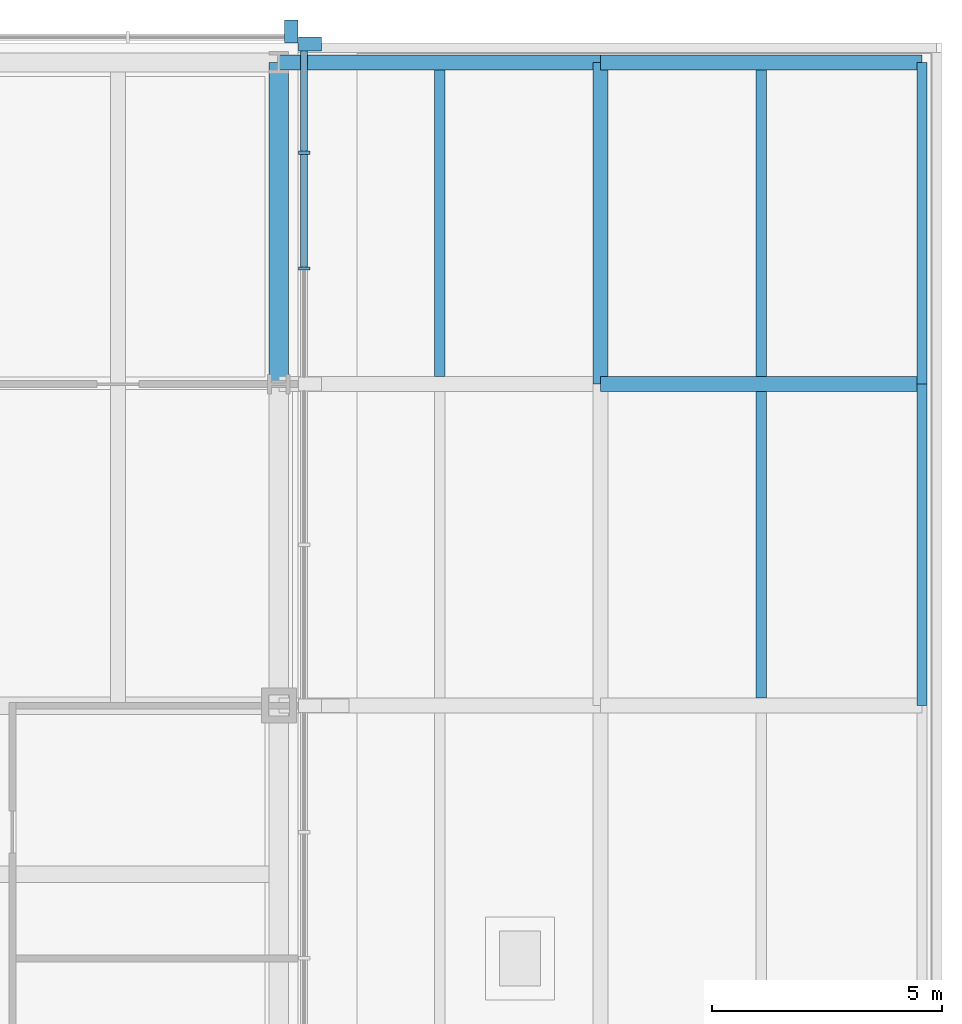
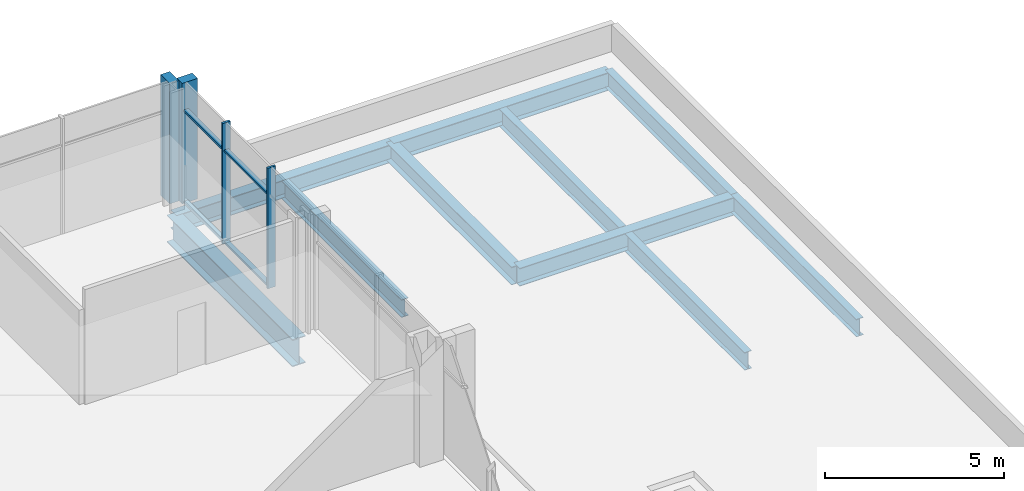
# One storey, part 8 of 15: 10 beams, 8 members, 2 elements without a shape of their own.
"""IFC4 building model written with IfcOpenShell, lengths in metres."""

from ifc_helpers import new_model, si_unit, direction, frame, origin, origin_2d, place, context, subcontext, project, spatial, rectangle, i_section, extrude, material, material_profile, profile_set, type_object, element, aggregate, save


model = new_model("IFC4")

# Units and contexts
model_context = context("Model", 3, precision=1e-05, world=origin(), true_north=direction((0.0, 1.0)))
body_context = subcontext(model_context, "Body", "Model", "MODEL_VIEW")
ifc_project = project(units=[si_unit("LENGTHUNIT", "METRE"), si_unit("AREAUNIT", "SQUARE_METRE"), si_unit("VOLUMEUNIT", "CUBIC_METRE"), si_unit("PLANEANGLEUNIT", "RADIAN"), si_unit("MASSUNIT", "GRAM", prefix="KILO")], contexts=[model_context])

# Site, building, storey
site_placement = place(None, origin())
site = spatial("IfcSite", under=ifc_project, at=site_placement, CompositionType="ELEMENT")
building_placement = place(site_placement, origin())
building = spatial("IfcBuilding", under=site, at=building_placement, Name="Trevanion Tower", CompositionType="ELEMENT")
storey_placement = place(building_placement, frame((0.0, 0.0, 16.0)))
storey = spatial("IfcBuildingStorey", under=building, at=storey_placement, Name="L03", CompositionType="ELEMENT", Elevation=16.0)

# Curtain wall, members
ifc_material_1 = material(Name="Aluminium and glass", Category="aluminium")
curtain_wall_type = type_object("IfcCurtainWallType", Name="CW1 curtain wall", PredefinedType="USERDEFINED", material=ifc_material_1)
curtain_wall_1_placement = place(storey_placement, origin())
curtain_wall_1 = element("IfcCurtainWall", 1, at=curtain_wall_1_placement, inside=storey, type_object=curtain_wall_type, Name="CW1 L03 0", ObjectType="UNITISED CURTAIN WALL", PredefinedType="USERDEFINED")
ifc_material_2 = material(Name="Aluminium extrusion, anodised bronze", Category="aluminium")
ifc_material_profile_1 = material_profile(ifc_material_2, rectangle(XDim=0.074951171875, YDim=0.25, at=origin_2d()), Name="CW1 mullion")
ifc_profile_set_1 = profile_set([ifc_material_profile_1], Name="Aluminium extrusion, anodised bronze")
member_type_1 = type_object("IfcMemberType", Name="CW1 mullion", PredefinedType="MULLION", material=ifc_profile_set_1)
member_1_placement = place(storey_placement, frame((25.550048828125, 20.5166015625, -0.18994140625), z_axis=(0.0, 0.0, 1.0), x_axis=(0.0, 1.0, 0.0)))
member_1 = element("IfcMember", 2, at=member_1_placement, type_object=member_type_1, Name="CW1 mullion 16", PredefinedType="MULLION", context=body_context, shape_type="SweptSolid", body=[
    extrude(rectangle(XDim=0.074951171875, YDim=0.25, at=origin_2d()), origin(), (0.0, 0.0, 1.0), 4.099853515625),
])
member_2_placement = place(storey_placement, frame((25.550048828125, 23.033203125, -0.18994140625), z_axis=(0.0, 0.0, 1.0), x_axis=(0.0, 1.0, 0.0)))
member_2 = element("IfcMember", 3, at=member_2_placement, type_object=member_type_1, Name="CW1 mullion 17", PredefinedType="MULLION", context=body_context, shape_type="SweptSolid", body=[
    extrude(rectangle(XDim=0.074951171875, YDim=0.25, at=origin_2d()), origin(), (0.0, 0.0, 1.0), 4.099853515625),
])
ifc_material_3 = material(Name="Aluminium extrusion, anodised bronze", Category="aluminium")
ifc_material_profile_2 = material_profile(ifc_material_3, rectangle(XDim=0.300048828125, YDim=0.5, at=origin_2d()), Name="CW1 pier mullion")
ifc_profile_set_2 = profile_set([ifc_material_profile_2], Name="Aluminium extrusion, anodised bronze")
member_type_2 = type_object("IfcMemberType", Name="CW1 pier mullion", PredefinedType="MULLION", material=ifc_profile_set_2)
member_3_placement = place(storey_placement, frame((25.675048828125, 25.39990234375, -0.18994140625), z_axis=(0.0, 0.0, 1.0), x_axis=(0.0, 1.0, 0.0)))
member_3 = element("IfcMember", 4, at=member_3_placement, type_object=member_type_2, Name="CW1 pier mullion 18", PredefinedType="MULLION", context=body_context, shape_type="SweptSolid", body=[
    extrude(rectangle(XDim=0.300048828125, YDim=0.5, at=origin_2d()), origin(), (0.0, 0.0, 1.0), 4.099853515625),
])

# Curtain wall, member
curtain_wall_2_placement = place(storey_placement, origin())
curtain_wall_2 = element("IfcCurtainWall", 5, at=curtain_wall_2_placement, inside=storey, type_object=curtain_wall_type, Name="CW1 L03 1", ObjectType="UNITISED CURTAIN WALL", PredefinedType="USERDEFINED")
member_4_placement = place(storey_placement, frame((25.27001953125, 25.675048828125, -0.18994140625), z_axis=(0.0, 0.0, 1.0), x_axis=(-1.0, 0.0, 0.0)))
member_4 = element("IfcMember", 6, at=member_4_placement, type_object=member_type_2, Name="CW1 pier mullion 1", PredefinedType="MULLION", context=body_context, shape_type="SweptSolid", body=[
    extrude(rectangle(XDim=0.300048828125, YDim=0.5, at=origin_2d()), origin(), (0.0, 0.0, 1.0), 4.099853515625),
])
aggregate(curtain_wall_2, [member_4])

# Member
ifc_material_4 = material(Name="Aluminium extrusion, anodised bronze", Category="aluminium")
ifc_material_profile_3 = material_profile(ifc_material_4, rectangle(XDim=0.14990234375, YDim=0.074951171875, at=origin_2d()), Name="CW1 transom")
ifc_profile_set_3 = profile_set([ifc_material_profile_3], Name="Aluminium extrusion, anodised bronze")
member_type_3 = type_object("IfcMemberType", Name="CW1 transom", PredefinedType="USERDEFINED", material=ifc_profile_set_3)
member_5_placement = place(storey_placement, frame((25.550048828125, 20.55419921875, -0.152587890625), z_axis=(0.0, 1.0, 0.0), x_axis=(-1.0, 0.0, 0.0)))
member_5 = element("IfcMember", 7, at=member_5_placement, type_object=member_type_3, Name="CW1 transom 16.1", ObjectType="TRANSOM", PredefinedType="USERDEFINED", context=body_context, shape_type="SweptSolid", body=[
    extrude(rectangle(XDim=0.14990234375, YDim=0.074951171875, at=origin_2d()), origin(), (0.0, 0.0, 1.0), 2.441650390625),
])

member_6_placement = place(storey_placement, frame((25.550048828125, 20.55419921875, 2.9599609375), z_axis=(0.0, 1.0, 0.0), x_axis=(-1.0, 0.0, 0.0)))
member_6 = element("IfcMember", 8, at=member_6_placement, type_object=member_type_3, Name="CW1 transom 16.2", ObjectType="TRANSOM", PredefinedType="USERDEFINED", context=body_context, shape_type="SweptSolid", body=[
    extrude(rectangle(XDim=0.14990234375, YDim=0.074951171875, at=origin_2d()), origin(), (0.0, 0.0, 1.0), 2.441650390625),
])

member_7_placement = place(storey_placement, frame((25.550048828125, 23.07080078125, -0.152587890625), z_axis=(0.0, 1.0, 0.0), x_axis=(-1.0, 0.0, 0.0)))
member_7 = element("IfcMember", 9, at=member_7_placement, type_object=member_type_3, Name="CW1 transom 17.1", ObjectType="TRANSOM", PredefinedType="USERDEFINED", context=body_context, shape_type="SweptSolid", body=[
    extrude(rectangle(XDim=0.14990234375, YDim=0.074951171875, at=origin_2d()), origin(), (0.0, 0.0, 1.0), 2.17919921875),
])

member_8_placement = place(storey_placement, frame((25.550048828125, 23.07080078125, 2.9599609375), z_axis=(0.0, 1.0, 0.0), x_axis=(-1.0, 0.0, 0.0)))
member_8 = element("IfcMember", 10, at=member_8_placement, type_object=member_type_3, Name="CW1 transom 17.2", ObjectType="TRANSOM", PredefinedType="USERDEFINED", context=body_context, shape_type="SweptSolid", body=[
    extrude(rectangle(XDim=0.14990234375, YDim=0.074951171875, at=origin_2d()), origin(), (0.0, 0.0, 1.0), 2.17919921875),
])

aggregate(curtain_wall_1, [member_1, member_2, member_3, member_5, member_6, member_7, member_8])

# Beams
ifc_material_5 = material(Name="Steel ASTM A992 Grade 50", Category="steel")
ifc_material_profile_4 = material_profile(ifc_material_5, i_section(OverallWidth=0.419189453125, OverallDepth=0.927001953125, WebThickness=0.019287109375, FlangeThickness=0.031982421875, at=origin_2d()), Name="W36X231")
ifc_profile_set_4 = profile_set([ifc_material_profile_4], Name="Steel ASTM A992 Grade 50")
beam_type_1 = type_object("IfcBeamType", Name="SB1 W36X231", PredefinedType="SPANDREL", material=ifc_profile_set_4)
beam_placement = place(storey_placement, frame((25.0, 18.0, -0.653564453125), z_axis=(0.0, 1.0, 0.0), x_axis=(-1.0, 0.0, 0.0)))
element("IfcBeam", 11, at=beam_placement, inside=storey, type_object=beam_type_1, Name="SB1 L03", PredefinedType="SPANDREL", context=body_context, shape_type="SweptSolid", body=[
    extrude(i_section(OverallWidth=0.419189453125, OverallDepth=0.927001953125, WebThickness=0.019287109375, FlangeThickness=0.031982421875, at=origin_2d()), origin(), (0.0, 0.0, 1.0), 7.0),
])
ifc_material_6 = material(Name="Steel ASTM A992 Grade 50", Category="steel")
ifc_material_profile_5 = material_profile(ifc_material_6, i_section(OverallWidth=0.228271484375, OverallDepth=0.607177734375, WebThickness=0.01123046875, FlangeThickness=0.017333984375, at=origin_2d()), Name="W24X76")
ifc_profile_set_5 = profile_set([ifc_material_profile_5], Name="Steel ASTM A992 Grade 50")
beam_type_2 = type_object("IfcBeamType", Name="WB1 W24X76", PredefinedType="BEAM", material=ifc_profile_set_5)
for number, where, z_axis, x_axis, name in (
    (12, (28.5, 18.16259765625, -0.493408203125), (0.0, 1.0, 0.0), (-1.0, 0.0, 0.0), "WB1 L03"),
    (13, (35.5, 11.16259765625, -0.493408203125), (0.0, 1.0, 0.0), (-1.0, 0.0, 0.0), "WB1 L03"),
    (14, (35.5, 18.16259765625, -0.493408203125), (0.0, 1.0, 0.0), (-1.0, 0.0, 0.0), "WB1 L03"),
):
    element("IfcBeam", number, at=place(storey_placement, frame(where, z_axis=z_axis, x_axis=x_axis)), inside=storey, type_object=beam_type_2, Name=name, PredefinedType="BEAM", context=body_context, shape_type="SweptSolid", body=[
        extrude(i_section(OverallWidth=0.228271484375, OverallDepth=0.607177734375, WebThickness=0.01123046875, FlangeThickness=0.017333984375, at=origin_2d()), origin(), (0.0, 0.0, 1.0), 6.6748046875),
    ])
ifc_material_7 = material(Name="Steel ASTM A992 Grade 50", Category="steel")
ifc_material_profile_6 = material_profile(ifc_material_7, i_section(OverallWidth=0.227783203125, OverallDepth=0.60205078125, WebThickness=0.010498046875, FlangeThickness=0.014892578125, at=origin_2d()), Name="W24X68")
ifc_profile_set_6 = profile_set([ifc_material_profile_6], Name="Steel ASTM A992 Grade 50")
beam_type_3 = type_object("IfcBeamType", Name="WE1 W24X68", PredefinedType="SPANDREL", material=ifc_profile_set_6)
for number, where, z_axis, x_axis, name in (
    (15, (39.0, 11.0, -0.490966796875), (0.0, 1.0, 0.0), (-1.0, 0.0, 0.0), "WE1 L03"),
    (16, (39.0, 18.0, -0.490966796875), (0.0, 1.0, 0.0), (-1.0, 0.0, 0.0), "WE1 L03"),
):
    element("IfcBeam", number, at=place(storey_placement, frame(where, z_axis=z_axis, x_axis=x_axis)), inside=storey, type_object=beam_type_3, Name=name, PredefinedType="SPANDREL", context=body_context, shape_type="SweptSolid", body=[
        extrude(i_section(OverallWidth=0.227783203125, OverallDepth=0.60205078125, WebThickness=0.010498046875, FlangeThickness=0.014892578125, at=origin_2d()), origin(), (0.0, 0.0, 1.0), 7.0),
    ])
ifc_material_8 = material(Name="Steel ASTM A992 Grade 50", Category="steel")
ifc_material_profile_7 = material_profile(ifc_material_8, i_section(OverallWidth=0.3251953125, OverallDepth=0.612060546875, WebThickness=0.0126953125, FlangeThickness=0.01904296875, at=origin_2d()), Name="W24X104")
ifc_profile_set_7 = profile_set([ifc_material_profile_7], Name="Steel ASTM A992 Grade 50")
beam_type_4 = type_object("IfcBeamType", Name="WG1 W24X104", PredefinedType="BEAM", material=ifc_profile_set_7)
for number, where, z_axis, x_axis, name in (
    (17, (32.0, 18.0, -0.49609375), (1.0, 0.0, 0.0), (0.0, 1.0, 0.0), "WG1 L03"),
    (18, (25.0, 25.0, -0.49609375), (1.0, 0.0, 0.0), (0.0, 1.0, 0.0), "WG1 L03"),
    (19, (32.0, 25.0, -0.49609375), (1.0, 0.0, 0.0), (0.0, 1.0, 0.0), "WG1 L03"),
    (20, (32.0, 18.0, -0.49609375), (0.0, 1.0, 0.0), (-1.0, 0.0, 0.0), "WG1 L03"),
):
    element("IfcBeam", number, at=place(storey_placement, frame(where, z_axis=z_axis, x_axis=x_axis)), inside=storey, type_object=beam_type_4, Name=name, PredefinedType="BEAM", context=body_context, shape_type="SweptSolid", body=[
        extrude(i_section(OverallWidth=0.3251953125, OverallDepth=0.612060546875, WebThickness=0.0126953125, FlangeThickness=0.01904296875, at=origin_2d()), origin(), (0.0, 0.0, 1.0), 7.0),
    ])

save(model, "model.ifc")
